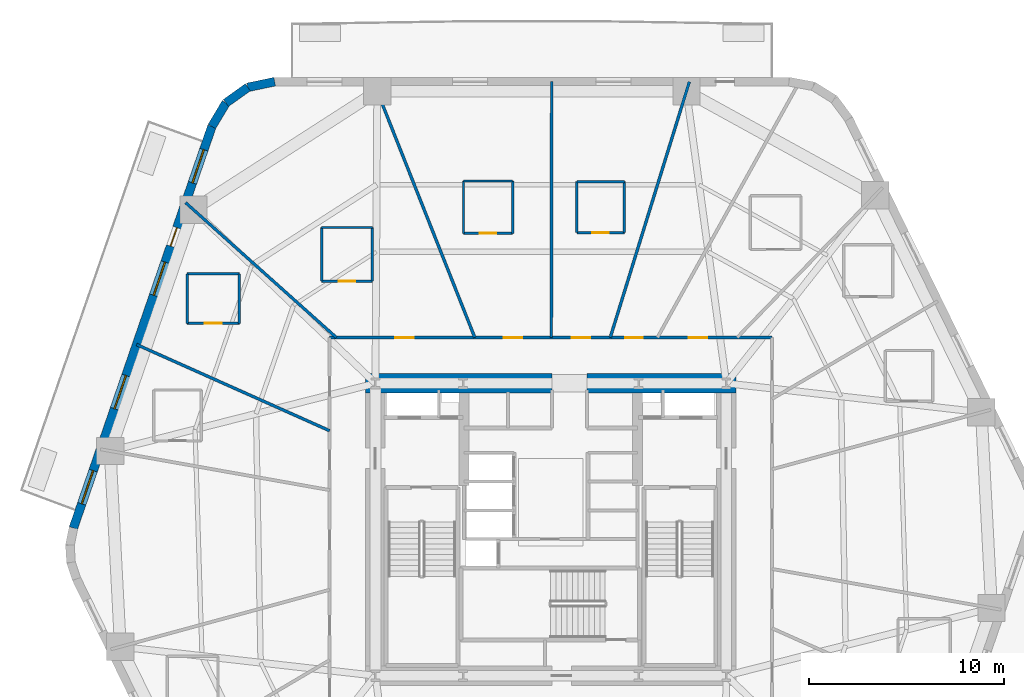
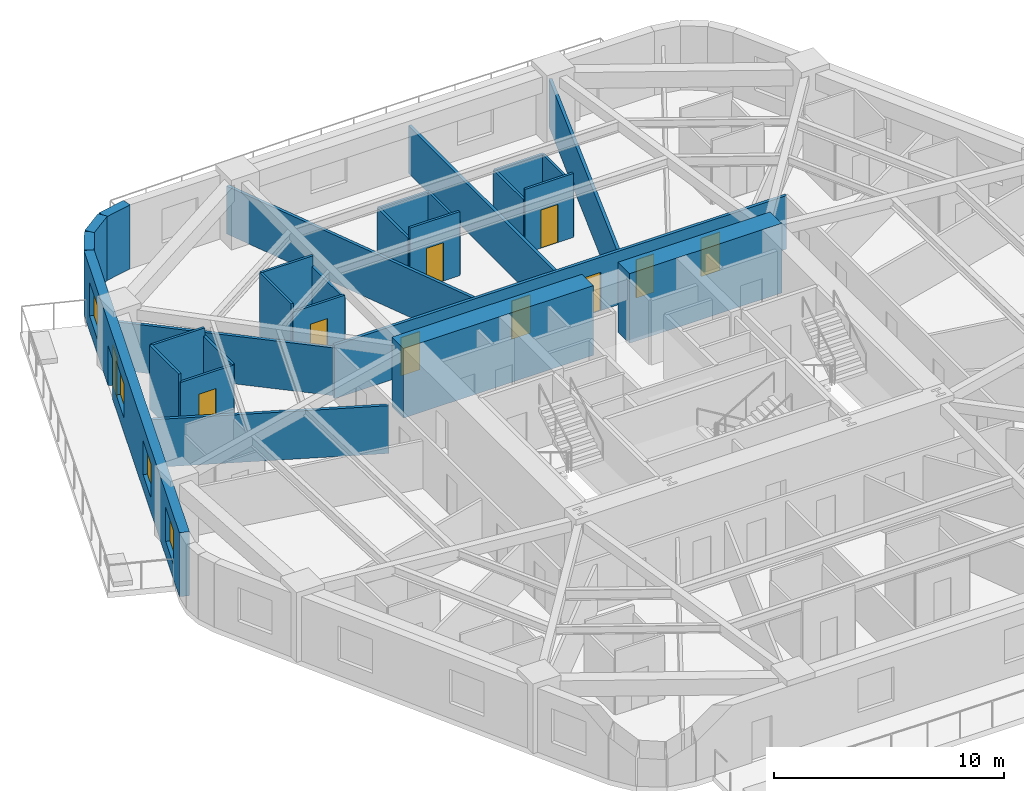
# One storey, part 6 of 11: 28 walls, 10 doors, 4 windows, 14 openings.
"""IFC4 building model written with IfcOpenShell, lengths in metres."""

from ifc_helpers import new_model, si_unit, direction, frame, frame_2d, origin, place, context, subcontext, project, spatial, rectangle, extrude, material, layer, layer_set, type_object, element, fill, save


model = new_model("IFC4")

# Units and contexts
model_context = context("Model", 3, precision=1e-05, world=origin(), true_north=direction((0.0, 1.0)))
body_context = subcontext(model_context, "Body", "Model", "MODEL_VIEW")
ifc_project = project(units=[si_unit("LENGTHUNIT", "METRE"), si_unit("AREAUNIT", "SQUARE_METRE"), si_unit("VOLUMEUNIT", "CUBIC_METRE"), si_unit("PLANEANGLEUNIT", "RADIAN"), si_unit("MASSUNIT", "GRAM", prefix="KILO")], contexts=[model_context])

# Site, building, storey
site_placement = place(None, origin())
site = spatial("IfcSite", under=ifc_project, at=site_placement, CompositionType="ELEMENT")
building_placement = place(site_placement, origin())
building = spatial("IfcBuilding", under=site, at=building_placement, Name="Kilnhurst Terrace Hotel", CompositionType="ELEMENT")
storey_placement = place(building_placement, frame((0.0, 0.0, 37.89990234375)))
storey = spatial("IfcBuildingStorey", under=building, at=storey_placement, Name="L07", CompositionType="ELEMENT", Elevation=37.89990234375)

# Walls
ifc_material_1 = material(Name="Precast concrete C40/50", Category="concrete")
ifc_layer_1 = layer(ifc_material_1, 0.449951171875, Name="Precast concrete C40/50")
ifc_layer_set_1 = layer_set([ifc_layer_1], Name="Precast concrete C40/50")
wall_type_1 = type_object("IfcWallType", Name="WL-BRK-450", PredefinedType="SOLIDWALL", material=ifc_layer_set_1)
wall_1_placement = place(storey_placement, frame((-14.168212890625, 22.97509765625, 0.0), z_axis=(0.0, 0.0, 1.0), x_axis=(-0.978770371074, -0.204959900243, 0.0)))
element("IfcWall", 1, at=wall_1_placement, inside=storey, type_object=wall_type_1, Name="L07 Rounded Corner Brick Wall C5.1", PredefinedType="SOLIDWALL", context=body_context, shape_type="SweptSolid", body=[
    extrude(rectangle(XDim=1.405517578125, YDim=0.449951171875, at=frame_2d((0.70263671875, 0.0))), origin(), (0.0, 0.0, 1.0), 3.400146484375),
])
wall_2_placement = place(storey_placement, frame((-15.5439453125, 22.68701171875, 0.0), z_axis=(0.0, 0.0, 1.0), x_axis=(-0.814210854316, -0.580569276412, 0.0)))
element("IfcWall", 2, at=wall_2_placement, inside=storey, type_object=wall_type_1, Name="L07 Rounded Corner Brick Wall C5.2", PredefinedType="SOLIDWALL", context=body_context, shape_type="SweptSolid", body=[
    extrude(rectangle(XDim=1.38134765625, YDim=0.449951171875, at=frame_2d((0.690673828125, 0.0))), origin(), (0.0, 0.0, 1.0), 3.400146484375),
])
wall_3_placement = place(storey_placement, frame((-16.668701171875, 21.885009765625, 0.0), z_axis=(0.0, 0.0, 1.0), x_axis=(-0.512936712947, -0.858426425799, 0.0)))
element("IfcWall", 3, at=wall_3_placement, inside=storey, type_object=wall_type_1, Name="L07 Rounded Corner Brick Wall C5.3", PredefinedType="SOLIDWALL", context=body_context, shape_type="SweptSolid", body=[
    extrude(rectangle(XDim=1.405517578125, YDim=0.449951171875, at=frame_2d((0.70263671875, 0.0))), origin(), (0.0, 0.0, 1.0), 3.400146484375),
])

# Wall, openings, door, windows
wall_4_placement = place(storey_placement, frame((-17.3896484375, 20.678466796875, 0.0), z_axis=(0.0, 0.0, 1.0), x_axis=(-0.326068018294, -0.945346310854, 0.0)))
wall_4 = element("IfcWall", 4, at=wall_4_placement, inside=storey, type_object=wall_type_1, Name="L07 Exterior Brick Facade Wall F5", PredefinedType="SOLIDWALL", context=body_context, shape_type="SweptSolid", body=[
    extrude(rectangle(XDim=21.79296875, YDim=0.449951171875, at=frame_2d((10.896484375, 0.0))), origin(), (0.0, 0.0, 1.0), 3.400146484375),
])
opening_1_placement = place(wall_4_placement, frame((5.492919921875, 0.0, 0.0)))
opening_1 = element("IfcOpeningElement", 5, at=opening_1_placement, cuts=wall_4, Name="Opening BD-1000", PredefinedType="OPENING", context=body_context, shape_type="SweptSolid", body=[
    extrude(rectangle(XDim=1.0, YDim=2.14990234375, at=frame_2d((0.5, 1.074951171875))), frame((0.0, 0.23486328125, 0.0), z_axis=(0.0, -1.0, 0.0), x_axis=(1.0, 0.0, 0.0)), (0.0, 0.0, 1.0), 0.469970703125),
])
opening_2_placement = place(wall_4_placement, frame((1.260009765625, 0.0, 0.800048828125)))
opening_2 = element("IfcOpeningElement", 6, at=opening_2_placement, cuts=wall_4, Name="Opening W-01", PredefinedType="OPENING", context=body_context, shape_type="SweptSolid", body=[
    extrude(rectangle(XDim=1.800048828125, YDim=1.800048828125, at=frame_2d((0.89990234375, 0.89990234375))), frame((0.0, 0.23486328125, 0.0), z_axis=(0.0, -1.0, 0.0), x_axis=(1.0, 0.0, 0.0)), (0.0, 0.0, 1.0), 0.469970703125),
])
opening_3_placement = place(wall_4_placement, frame((7.363037109375, 0.0, 0.800048828125)))
opening_3 = element("IfcOpeningElement", 7, at=opening_3_placement, cuts=wall_4, Name="Opening W-01", PredefinedType="OPENING", context=body_context, shape_type="SweptSolid", body=[
    extrude(rectangle(XDim=1.800048828125, YDim=1.800048828125, at=frame_2d((0.89990234375, 0.89990234375))), frame((0.0, 0.23486328125, 0.0), z_axis=(0.0, -1.0, 0.0), x_axis=(1.0, 0.0, 0.0)), (0.0, 0.0, 1.0), 0.469970703125),
])
opening_4_placement = place(wall_4_placement, frame((13.51806640625, 0.0, 0.800048828125)))
opening_4 = element("IfcOpeningElement", 8, at=opening_4_placement, cuts=wall_4, Name="Opening W-01", PredefinedType="OPENING", context=body_context, shape_type="SweptSolid", body=[
    extrude(rectangle(XDim=1.800048828125, YDim=1.800048828125, at=frame_2d((0.89990234375, 0.89990234375))), frame((0.0, 0.23486328125, 0.0), z_axis=(0.0, -1.0, 0.0), x_axis=(1.0, 0.0, 0.0)), (0.0, 0.0, 1.0), 0.469970703125),
])
opening_5_placement = place(wall_4_placement, frame((18.679931640625, 0.0, 0.800048828125)))
opening_5 = element("IfcOpeningElement", 9, at=opening_5_placement, cuts=wall_4, Name="Opening W-01", PredefinedType="OPENING", context=body_context, shape_type="SweptSolid", body=[
    extrude(rectangle(XDim=1.800048828125, YDim=1.800048828125, at=frame_2d((0.89990234375, 0.89990234375))), frame((0.0, 0.23486328125, 0.0), z_axis=(0.0, -1.0, 0.0), x_axis=(1.0, 0.0, 0.0)), (0.0, 0.0, 1.0), 0.469970703125),
])
ifc_material_2 = material(Name="Thermally Broken Bronze Aluminium Alloy 6063-T6 and Laminated Glass", Category="aluminium")
door_type_1 = type_object("IfcDoorType", Name="DR-EXT-BAL-1000", OperationType="NOTDEFINED", PredefinedType="DOOR", material=ifc_material_2)
door_1_placement = place(opening_1_placement, origin())
door_1 = element("IfcDoor", 10, at=door_1_placement, inside=storey, type_object=door_type_1, Name="L07 Planted Balcony Door BAL-L2B", OperationType="SINGLE_SWING_LEFT", OverallHeight=2.14990234375, OverallWidth=1.0, PredefinedType="DOOR", context=body_context, shape_type="SweptSolid", body=[
    extrude(rectangle(XDim=1.0, YDim=2.14990234375, at=frame_2d((0.5, 1.074951171875))), frame((0.0, 0.02490234375, 0.0), z_axis=(0.0, -1.0, 0.0), x_axis=(1.0, 0.0, 0.0)), (0.0, 0.0, 1.0), 0.050048828125),
])
fill(opening_1, door_1)
ifc_material_3 = material(Name="Thermally Broken Bronze Aluminium Alloy 6063-T6 and Low-E Glass", Category="aluminium")
window_type = type_object("IfcWindowType", Name="WIN-1800X1800", PartitioningType="SINGLE_PANEL", PredefinedType="WINDOW", material=ifc_material_3)
window_1_placement = place(opening_2_placement, origin())
window_1 = element("IfcWindow", 11, at=window_1_placement, inside=storey, type_object=window_type, Name="L07 Deep-Set Masonry Window F5.1", OverallHeight=1.800048828125, OverallWidth=1.800048828125, PartitioningType="SINGLE_PANEL", PredefinedType="WINDOW", context=body_context, shape_type="SweptSolid", body=[
    extrude(rectangle(XDim=1.800048828125, YDim=1.800048828125, at=frame_2d((0.89990234375, 0.89990234375))), frame((0.0, 0.030029296875, 0.0), z_axis=(0.0, -1.0, 0.0), x_axis=(1.0, 0.0, 0.0)), (0.0, 0.0, 1.0), 0.06005859375),
])
fill(opening_2, window_1)
window_2_placement = place(opening_3_placement, origin())
window_2 = element("IfcWindow", 12, at=window_2_placement, inside=storey, type_object=window_type, Name="L07 Deep-Set Masonry Window F5.2", OverallHeight=1.800048828125, OverallWidth=1.800048828125, PartitioningType="SINGLE_PANEL", PredefinedType="WINDOW", context=body_context, shape_type="SweptSolid", body=[
    extrude(rectangle(XDim=1.800048828125, YDim=1.800048828125, at=frame_2d((0.89990234375, 0.89990234375))), frame((0.0, 0.030029296875, 0.0), z_axis=(0.0, -1.0, 0.0), x_axis=(1.0, 0.0, 0.0)), (0.0, 0.0, 1.0), 0.06005859375),
])
fill(opening_3, window_2)
window_3_placement = place(opening_4_placement, origin())
window_3 = element("IfcWindow", 13, at=window_3_placement, inside=storey, type_object=window_type, Name="L07 Deep-Set Masonry Window F5.3", OverallHeight=1.800048828125, OverallWidth=1.800048828125, PartitioningType="SINGLE_PANEL", PredefinedType="WINDOW", context=body_context, shape_type="SweptSolid", body=[
    extrude(rectangle(XDim=1.800048828125, YDim=1.800048828125, at=frame_2d((0.89990234375, 0.89990234375))), frame((0.0, 0.030029296875, 0.0), z_axis=(0.0, -1.0, 0.0), x_axis=(1.0, 0.0, 0.0)), (0.0, 0.0, 1.0), 0.06005859375),
])
fill(opening_4, window_3)
window_4_placement = place(opening_5_placement, origin())
window_4 = element("IfcWindow", 14, at=window_4_placement, inside=storey, type_object=window_type, Name="L07 Deep-Set Masonry Window F5.4", OverallHeight=1.800048828125, OverallWidth=1.800048828125, PartitioningType="SINGLE_PANEL", PredefinedType="WINDOW", context=body_context, shape_type="SweptSolid", body=[
    extrude(rectangle(XDim=1.800048828125, YDim=1.800048828125, at=frame_2d((0.89990234375, 0.89990234375))), frame((0.0, 0.030029296875, 0.0), z_axis=(0.0, -1.0, 0.0), x_axis=(1.0, 0.0, 0.0)), (0.0, 0.0, 1.0), 0.06005859375),
])
fill(opening_5, window_4)

# Wall, openings, doors
ifc_material_4 = material(Name="Acoustic Double-Gypsum Corridor Partition Assembly")
ifc_layer_2 = layer(ifc_material_4, 0.14990234375, Name="Acoustic Double-Gypsum Corridor Partition Assembly")
ifc_layer_set_2 = layer_set([ifc_layer_2], Name="Acoustic Double-Gypsum Corridor Partition Assembly")
wall_type_2 = type_object("IfcWallType", Name="WL-COR-150", PredefinedType="PARTITIONING", material=ifc_layer_set_2)
wall_5_placement = place(storey_placement, frame((-11.35009765625, 9.85009765625, 0.0), z_axis=(0.0, 0.0, 1.0), x_axis=(1.0, 0.0, 0.0)))
wall_5 = element("IfcWall", 15, at=wall_5_placement, inside=storey, type_object=wall_type_2, Name="L07 Interior Wall WL-L07-COR-02", PredefinedType="PARTITIONING", context=body_context, shape_type="SweptSolid", body=[
    extrude(rectangle(XDim=22.7001953125, YDim=0.14990234375, at=frame_2d((11.35009765625, 0.0))), origin(), (0.0, 0.0, 1.0), 2.840087890625),
])
opening_6_placement = place(wall_5_placement, frame((18.43603515625, 0.0, 0.0)))
opening_6 = element("IfcOpeningElement", 16, at=opening_6_placement, cuts=wall_5, Name="Opening D-60B", PredefinedType="OPENING", context=body_context, shape_type="SweptSolid", body=[
    extrude(rectangle(XDim=0.949951171875, YDim=2.030029296875, at=frame_2d((0.47509765625, 1.01513671875))), frame((0.0, 0.0849609375, 0.0), z_axis=(0.0, -1.0, 0.0), x_axis=(1.0, 0.0, 0.0)), (0.0, 0.0, 1.0), 0.169921875),
])
opening_7_placement = place(wall_5_placement, frame((15.176025390625, 0.0, 0.0)))
opening_7 = element("IfcOpeningElement", 17, at=opening_7_placement, cuts=wall_5, Name="Opening D-60C", PredefinedType="OPENING", context=body_context, shape_type="SweptSolid", body=[
    extrude(rectangle(XDim=0.89990234375, YDim=2.030029296875, at=frame_2d((0.449951171875, 1.01513671875))), frame((0.0, 0.0849609375, 0.0), z_axis=(0.0, -1.0, 0.0), x_axis=(1.0, 0.0, 0.0)), (0.0, 0.0, 1.0), 0.169921875),
])
opening_8_placement = place(wall_5_placement, frame((12.4150390625, 0.0, 0.0)))
opening_8 = element("IfcOpeningElement", 18, at=opening_8_placement, cuts=wall_5, Name="Opening D-60B", PredefinedType="OPENING", context=body_context, shape_type="SweptSolid", body=[
    extrude(rectangle(XDim=0.949951171875, YDim=2.030029296875, at=frame_2d((0.47509765625, 1.01513671875))), frame((0.0, 0.0849609375, 0.0), z_axis=(0.0, -1.0, 0.0), x_axis=(1.0, 0.0, 0.0)), (0.0, 0.0, 1.0), 0.169921875),
])
opening_9_placement = place(wall_5_placement, frame((8.925048828125, 0.0, 0.0)))
opening_9 = element("IfcOpeningElement", 19, at=opening_9_placement, cuts=wall_5, Name="Opening D-60B", PredefinedType="OPENING", context=body_context, shape_type="SweptSolid", body=[
    extrude(rectangle(XDim=0.949951171875, YDim=2.030029296875, at=frame_2d((0.47509765625, 1.01513671875))), frame((0.0, 0.0849609375, 0.0), z_axis=(0.0, -1.0, 0.0), x_axis=(1.0, 0.0, 0.0)), (0.0, 0.0, 1.0), 0.169921875),
])
opening_10_placement = place(wall_5_placement, frame((3.368896484375, 0.0, 0.0)))
opening_10 = element("IfcOpeningElement", 20, at=opening_10_placement, cuts=wall_5, Name="Opening D-60B", PredefinedType="OPENING", context=body_context, shape_type="SweptSolid", body=[
    extrude(rectangle(XDim=0.949951171875, YDim=2.030029296875, at=frame_2d((0.47509765625, 1.01513671875))), frame((0.0, 0.0849609375, 0.0), z_axis=(0.0, -1.0, 0.0), x_axis=(1.0, 0.0, 0.0)), (0.0, 0.0, 1.0), 0.169921875),
])
ifc_material_5 = material(Name="Painted Solid-Core Service Fire Door")
door_type_2 = type_object("IfcDoorType", Name="DR-FD60-900", OperationType="NOTDEFINED", PredefinedType="DOOR", material=ifc_material_5)
door_2_placement = place(opening_7_placement, origin())
door_2 = element("IfcDoor", 21, at=door_2_placement, inside=storey, type_object=door_type_2, Name="L07 Executive Work Office Door 4", OperationType="SINGLE_SWING_RIGHT", OverallHeight=2.030029296875, OverallWidth=0.89990234375, PredefinedType="DOOR", context=body_context, shape_type="SweptSolid", body=[
    extrude(rectangle(XDim=0.89990234375, YDim=2.030029296875, at=frame_2d((0.449951171875, 1.01513671875))), frame((0.0, 0.02490234375, 0.0), z_axis=(0.0, -1.0, 0.0), x_axis=(1.0, 0.0, 0.0)), (0.0, 0.0, 1.0), 0.050048828125),
])
fill(opening_7, door_2)
ifc_material_6 = material(Name="Acoustic Walnut Veneer Solid-Core Fire Door")
door_type_3 = type_object("IfcDoorType", Name="DR-FD60-950", OperationType="NOTDEFINED", PredefinedType="DOOR", material=ifc_material_6)
door_3_placement = place(opening_6_placement, origin())
door_3 = element("IfcDoor", 22, at=door_3_placement, inside=storey, type_object=door_type_3, Name="L07 Guest Room Entry Door 3", OperationType="SINGLE_SWING_LEFT", OverallHeight=2.030029296875, OverallWidth=0.949951171875, PredefinedType="DOOR", context=body_context, shape_type="SweptSolid", body=[
    extrude(rectangle(XDim=0.949951171875, YDim=2.030029296875, at=frame_2d((0.47509765625, 1.01513671875))), frame((0.0, 0.02490234375, 0.0), z_axis=(0.0, -1.0, 0.0), x_axis=(1.0, 0.0, 0.0)), (0.0, 0.0, 1.0), 0.050048828125),
])
fill(opening_6, door_3)
door_4_placement = place(opening_8_placement, origin())
door_4 = element("IfcDoor", 23, at=door_4_placement, inside=storey, type_object=door_type_3, Name="L07 Guest Room Entry Door 5", OperationType="SINGLE_SWING_LEFT", OverallHeight=2.030029296875, OverallWidth=0.949951171875, PredefinedType="DOOR", context=body_context, shape_type="SweptSolid", body=[
    extrude(rectangle(XDim=0.949951171875, YDim=2.030029296875, at=frame_2d((0.47509765625, 1.01513671875))), frame((0.0, 0.02490234375, 0.0), z_axis=(0.0, -1.0, 0.0), x_axis=(1.0, 0.0, 0.0)), (0.0, 0.0, 1.0), 0.050048828125),
])
fill(opening_8, door_4)
door_5_placement = place(opening_9_placement, origin())
door_5 = element("IfcDoor", 24, at=door_5_placement, inside=storey, type_object=door_type_3, Name="L07 Executive Suite Entry Door 6", OperationType="SINGLE_SWING_RIGHT", OverallHeight=2.030029296875, OverallWidth=0.949951171875, PredefinedType="DOOR", context=body_context, shape_type="SweptSolid", body=[
    extrude(rectangle(XDim=0.949951171875, YDim=2.030029296875, at=frame_2d((0.47509765625, 1.01513671875))), frame((0.0, 0.02490234375, 0.0), z_axis=(0.0, -1.0, 0.0), x_axis=(1.0, 0.0, 0.0)), (0.0, 0.0, 1.0), 0.050048828125),
])
fill(opening_9, door_5)
door_6_placement = place(opening_10_placement, origin())
door_6 = element("IfcDoor", 25, at=door_6_placement, inside=storey, type_object=door_type_3, Name="L07 Executive Suite Entry Door 7", OperationType="SINGLE_SWING_LEFT", OverallHeight=2.030029296875, OverallWidth=0.949951171875, PredefinedType="DOOR", context=body_context, shape_type="SweptSolid", body=[
    extrude(rectangle(XDim=0.949951171875, YDim=2.030029296875, at=frame_2d((0.47509765625, 1.01513671875))), frame((0.0, 0.02490234375, 0.0), z_axis=(0.0, -1.0, 0.0), x_axis=(1.0, 0.0, 0.0)), (0.0, 0.0, 1.0), 0.050048828125),
])
fill(opening_10, door_6)

# Walls
ifc_material_7 = material(Name="Concrete C80/95", Category="concrete")
ifc_layer_3 = layer(ifc_material_7, 1.0, Name="Concrete C80/95")
ifc_layer_set_3 = layer_set([ifc_layer_3], Name="Concrete C80/95")
wall_type_3 = type_object("IfcWallType", Name="WL-CORE-1000", PredefinedType="SHEAR", material=ifc_layer_set_3)
wall_6_placement = place(storey_placement, frame((-9.5, 7.5, 0.0), z_axis=(0.0, 0.0, 1.0), x_axis=(1.0, 0.0, 0.0)))
element("IfcWall", 26, at=wall_6_placement, inside=storey, type_object=wall_type_3, Name="L07 Core North West Shear Wall", PredefinedType="SHEAR", context=body_context, shape_type="SweptSolid", body=[
    extrude(rectangle(XDim=9.550048828125, YDim=1.0, at=frame_2d((4.77490234375, 0.0))), origin(), (0.0, 0.0, 1.0), 3.7001953125),
])
wall_7_placement = place(storey_placement, frame((1.85009765625, 7.5, 0.0), z_axis=(0.0, 0.0, 1.0), x_axis=(1.0, 0.0, 0.0)))
element("IfcWall", 27, at=wall_7_placement, inside=storey, type_object=wall_type_3, Name="L07 Core North East Shear Wall", PredefinedType="SHEAR", context=body_context, shape_type="SweptSolid", body=[
    extrude(rectangle(XDim=7.64990234375, YDim=1.0, at=frame_2d((3.824951171875, 0.0))), origin(), (0.0, 0.0, 1.0), 3.7001953125),
])
ifc_material_8 = material(Name="STC-58 Acoustic Twin-Frame Guestroom Demising Partition")
ifc_layer_4 = layer(ifc_material_8, 0.14990234375, Name="STC-58 Acoustic Twin-Frame Guestroom Demising Partition")
ifc_layer_set_4 = layer_set([ifc_layer_4], Name="STC-58 Acoustic Twin-Frame Guestroom Demising Partition")
wall_type_4 = type_object("IfcWallType", Name="WL-DEM-150", PredefinedType="PARTITIONING", material=ifc_layer_set_4)
wall_8_placement = place(storey_placement, frame((3.047607421875, 9.85009765625, 0.0), z_axis=(0.0, 0.0, 1.0), x_axis=(0.295553992761, 0.955326037206, 0.0)))
element("IfcWall", 28, at=wall_8_placement, inside=storey, type_object=wall_type_4, Name="L07 Interior Wall WL-L07-DEM-COL03-05-1", PredefinedType="PARTITIONING", context=body_context, shape_type="SweptSolid", body=[
    extrude(rectangle(XDim=13.73876953125, YDim=0.14990234375, at=frame_2d((6.869384765625, 0.0))), origin(), (0.0, 0.0, 1.0), 2.5400390625),
])
wall_9_placement = place(storey_placement, frame((0.0205078125, 9.85009765625, 0.0), z_axis=(0.0, 0.0, 1.0), x_axis=(0.002064727742, 0.999997868447, 0.0)))
element("IfcWall", 29, at=wall_9_placement, inside=storey, type_object=wall_type_4, Name="L07 Interior Wall WL-L07-DEM-MID03-06-1", PredefinedType="PARTITIONING", context=body_context, shape_type="SweptSolid", body=[
    extrude(rectangle(XDim=13.125, YDim=0.14990234375, at=frame_2d((6.5625, 0.0))), origin(), (0.0, 0.0, 1.0), 2.5400390625),
])
wall_10_placement = place(storey_placement, frame((-3.90185546875, 9.85009765625, 0.0), z_axis=(0.0, 0.0, 1.0), x_axis=(-0.36828765711, 0.929711891728, 0.0)))
element("IfcWall", 30, at=wall_10_placement, inside=storey, type_object=wall_type_4, Name="L07 Interior Wall WL-L07-DEM-COL04-07-1", PredefinedType="PARTITIONING", context=body_context, shape_type="SweptSolid", body=[
    extrude(rectangle(XDim=14.1171875, YDim=0.14990234375, at=frame_2d((7.05859375, 0.0))), origin(), (0.0, 0.0, 1.0), 2.5400390625),
])
wall_11_placement = place(storey_placement, frame((-11.006591796875, 9.85009765625, 0.0), z_axis=(0.0, 0.0, 1.0), x_axis=(-0.745177305978, 0.666866390407, 0.0)))
element("IfcWall", 31, at=wall_11_placement, inside=storey, type_object=wall_type_4, Name="L07 Interior Wall WL-L07-DEM-COL05-08-1", PredefinedType="PARTITIONING", context=body_context, shape_type="SweptSolid", body=[
    extrude(rectangle(XDim=10.375244140625, YDim=0.14990234375, at=frame_2d((5.1875, 0.0))), origin(), (0.0, 0.0, 1.0), 2.5400390625),
])
wall_12_placement = place(storey_placement, frame((-11.35009765625, 5.068115234375, 0.0), z_axis=(0.0, 0.0, 1.0), x_axis=(-0.913107192911, 0.407719577963, 0.0)))
element("IfcWall", 32, at=wall_12_placement, inside=storey, type_object=wall_type_4, Name="L07 Interior Wall WL-L07-DEM-MID05-09-1", PredefinedType="PARTITIONING", context=body_context, shape_type="SweptSolid", body=[
    extrude(rectangle(XDim=10.84130859375, YDim=0.14990234375, at=frame_2d((5.420654296875, 0.0))), origin(), (0.0, 0.0, 1.0), 2.5400390625),
])

# Wall, opening, door
ifc_material_9 = material(Name="120 mm Moisture-Resistant Tile-Backed Bathroom Partition")
ifc_layer_5 = layer(ifc_material_9, 0.1201171875, Name="120 mm Moisture-Resistant Tile-Backed Bathroom Partition")
ifc_layer_set_5 = layer_set([ifc_layer_5], Name="120 mm Moisture-Resistant Tile-Backed Bathroom Partition")
wall_type_5 = type_object("IfcWallType", Name="WL-PART-120", PredefinedType="PARTITIONING", material=ifc_layer_set_5)
wall_13_placement = place(storey_placement, frame((1.3310546875, 15.23193359375, 0.0), z_axis=(0.0, 0.0, 1.0), x_axis=(1.0, 0.0, 0.0)))
wall_13 = element("IfcWall", 33, at=wall_13_placement, inside=storey, type_object=wall_type_5, Name="L07 Interior Wall WL-L07-BTH-05-1", PredefinedType="PARTITIONING", context=body_context, shape_type="SweptSolid", body=[
    extrude(rectangle(XDim=2.43994140625, YDim=0.1201171875, at=frame_2d((1.219970703125, 0.0))), origin(), (0.0, 0.0, 1.0), 3.400146484375),
])
opening_11_placement = place(wall_13_placement, frame((0.794921875, 0.0, 0.0)))
opening_11 = element("IfcOpeningElement", 34, at=opening_11_placement, cuts=wall_13, Name="Opening D-08A", PredefinedType="OPENING", context=body_context, shape_type="SweptSolid", body=[
    extrude(rectangle(XDim=0.85009765625, YDim=2.030029296875, at=frame_2d((0.425048828125, 1.01513671875))), frame((0.0, 0.070068359375, 0.0), z_axis=(0.0, -1.0, 0.0), x_axis=(1.0, 0.0, 0.0)), (0.0, 0.0, 1.0), 0.14013671875),
])
ifc_material_10 = material(Name="Moisture-Resistant Lacquered En-suite Bathroom Door")
door_type_4 = type_object("IfcDoorType", Name="DR-INT-850", OperationType="NOTDEFINED", PredefinedType="DOOR", material=ifc_material_10)
door_7_placement = place(opening_11_placement, origin())
door_7 = element("IfcDoor", 35, at=door_7_placement, inside=storey, type_object=door_type_4, Name="L07 En-suite Bathroom Door 5", OperationType="SINGLE_SWING_RIGHT", OverallHeight=2.030029296875, OverallWidth=0.85009765625, PredefinedType="DOOR", context=body_context, shape_type="SweptSolid", body=[
    extrude(rectangle(XDim=0.85009765625, YDim=2.030029296875, at=frame_2d((0.425048828125, 1.01513671875))), frame((0.0, 0.02490234375, 0.0), z_axis=(0.0, -1.0, 0.0), x_axis=(1.0, 0.0, 0.0)), (0.0, 0.0, 1.0), 0.050048828125),
])
fill(opening_11, door_7)

# Walls
wall_14_placement = place(storey_placement, frame((3.77099609375, 15.23193359375, 0.0), z_axis=(0.0, 0.0, 1.0), x_axis=(0.0, 1.0, 0.0)))
element("IfcWall", 36, at=wall_14_placement, inside=storey, type_object=wall_type_5, Name="L07 Interior Wall WL-L07-BTH-05-2", PredefinedType="PARTITIONING", context=body_context, shape_type="SweptSolid", body=[
    extrude(rectangle(XDim=2.610107421875, YDim=0.1201171875, at=frame_2d((1.30517578125, 0.0))), origin(), (0.0, 0.0, 1.0), 2.840576171875),
])
wall_15_placement = place(storey_placement, frame((3.77099609375, 17.842041015625, 0.0), z_axis=(0.0, 0.0, 1.0), x_axis=(-1.0, 0.0, 0.0)))
element("IfcWall", 37, at=wall_15_placement, inside=storey, type_object=wall_type_5, Name="L07 Interior Wall WL-L07-BTH-05-3", PredefinedType="PARTITIONING", context=body_context, shape_type="SweptSolid", body=[
    extrude(rectangle(XDim=2.43994140625, YDim=0.1201171875, at=frame_2d((1.219970703125, 0.0))), origin(), (0.0, 0.0, 1.0), 2.840576171875),
])
wall_16_placement = place(storey_placement, frame((1.3310546875, 17.842041015625, 0.0), z_axis=(0.0, 0.0, 1.0), x_axis=(0.0, -1.0, 0.0)))
element("IfcWall", 38, at=wall_16_placement, inside=storey, type_object=wall_type_5, Name="L07 Interior Wall WL-L07-BTH-05-4", PredefinedType="PARTITIONING", context=body_context, shape_type="SweptSolid", body=[
    extrude(rectangle(XDim=2.610107421875, YDim=0.1201171875, at=frame_2d((1.30517578125, 0.0))), origin(), (0.0, 0.0, 1.0), 2.840576171875),
])

# Wall, opening, door
wall_17_placement = place(storey_placement, frame((-4.47900390625, 15.197021484375, 0.0), z_axis=(0.0, 0.0, 1.0), x_axis=(1.0, 0.0, 0.0)))
wall_17 = element("IfcWall", 39, at=wall_17_placement, inside=storey, type_object=wall_type_5, Name="L07 Interior Wall WL-L07-BTH-06-1", PredefinedType="PARTITIONING", context=body_context, shape_type="SweptSolid", body=[
    extrude(rectangle(XDim=2.52001953125, YDim=0.1201171875, at=frame_2d((1.260009765625, 0.0))), origin(), (0.0, 0.0, 1.0), 3.400146484375),
])
opening_12_placement = place(wall_17_placement, frame((0.8349609375, 0.0, 0.0)))
opening_12 = element("IfcOpeningElement", 40, at=opening_12_placement, cuts=wall_17, Name="Opening D-08A", PredefinedType="OPENING", context=body_context, shape_type="SweptSolid", body=[
    extrude(rectangle(XDim=0.85009765625, YDim=2.030029296875, at=frame_2d((0.425048828125, 1.01513671875))), frame((0.0, 0.070068359375, 0.0), z_axis=(0.0, -1.0, 0.0), x_axis=(1.0, 0.0, 0.0)), (0.0, 0.0, 1.0), 0.14013671875),
])
door_8_placement = place(opening_12_placement, origin())
door_8 = element("IfcDoor", 41, at=door_8_placement, inside=storey, type_object=door_type_4, Name="L07 En-suite Bathroom Door 6", OperationType="SINGLE_SWING_LEFT", OverallHeight=2.030029296875, OverallWidth=0.85009765625, PredefinedType="DOOR", context=body_context, shape_type="SweptSolid", body=[
    extrude(rectangle(XDim=0.85009765625, YDim=2.030029296875, at=frame_2d((0.425048828125, 1.01513671875))), frame((0.0, 0.02490234375, 0.0), z_axis=(0.0, -1.0, 0.0), x_axis=(1.0, 0.0, 0.0)), (0.0, 0.0, 1.0), 0.050048828125),
])
fill(opening_12, door_8)

# Walls
wall_18_placement = place(storey_placement, frame((-1.958984375, 15.197021484375, 0.0), z_axis=(0.0, 0.0, 1.0), x_axis=(0.0, 1.0, 0.0)))
element("IfcWall", 42, at=wall_18_placement, inside=storey, type_object=wall_type_5, Name="L07 Interior Wall WL-L07-BTH-06-2", PredefinedType="PARTITIONING", context=body_context, shape_type="SweptSolid", body=[
    extrude(rectangle(XDim=2.679931640625, YDim=0.1201171875, at=frame_2d((1.33984375, 0.0))), origin(), (0.0, 0.0, 1.0), 2.840576171875),
])
wall_19_placement = place(storey_placement, frame((-1.958984375, 17.876953125, 0.0), z_axis=(0.0, 0.0, 1.0), x_axis=(-1.0, 0.0, 0.0)))
element("IfcWall", 43, at=wall_19_placement, inside=storey, type_object=wall_type_5, Name="L07 Interior Wall WL-L07-BTH-06-3", PredefinedType="PARTITIONING", context=body_context, shape_type="SweptSolid", body=[
    extrude(rectangle(XDim=2.52001953125, YDim=0.1201171875, at=frame_2d((1.260009765625, 0.0))), origin(), (0.0, 0.0, 1.0), 2.840576171875),
])
wall_20_placement = place(storey_placement, frame((-4.47900390625, 17.876953125, 0.0), z_axis=(0.0, 0.0, 1.0), x_axis=(0.0, -1.0, 0.0)))
element("IfcWall", 44, at=wall_20_placement, inside=storey, type_object=wall_type_5, Name="L07 Interior Wall WL-L07-BTH-06-4", PredefinedType="PARTITIONING", context=body_context, shape_type="SweptSolid", body=[
    extrude(rectangle(XDim=2.679931640625, YDim=0.1201171875, at=frame_2d((1.33984375, 0.0))), origin(), (0.0, 0.0, 1.0), 2.840576171875),
])

# Wall, opening, door
wall_21_placement = place(storey_placement, frame((-11.761962890625, 12.742919921875, 0.0), z_axis=(0.0, 0.0, 1.0), x_axis=(1.0, 0.0, 0.0)))
wall_21 = element("IfcWall", 45, at=wall_21_placement, inside=storey, type_object=wall_type_5, Name="L07 Interior Wall WL-L07-BTH-07-1", PredefinedType="PARTITIONING", context=body_context, shape_type="SweptSolid", body=[
    extrude(rectangle(XDim=2.599853515625, YDim=0.1201171875, at=frame_2d((1.2998046875, 0.0))), origin(), (0.0, 0.0, 1.0), 2.972412109375),
])
opening_13_placement = place(wall_21_placement, frame((0.875, 0.0, 0.0)))
opening_13 = element("IfcOpeningElement", 46, at=opening_13_placement, cuts=wall_21, Name="Opening D-08A", PredefinedType="OPENING", context=body_context, shape_type="SweptSolid", body=[
    extrude(rectangle(XDim=0.85009765625, YDim=2.030029296875, at=frame_2d((0.425048828125, 1.01513671875))), frame((0.0, 0.070068359375, 0.0), z_axis=(0.0, -1.0, 0.0), x_axis=(1.0, 0.0, 0.0)), (0.0, 0.0, 1.0), 0.14013671875),
])
door_9_placement = place(opening_13_placement, origin())
door_9 = element("IfcDoor", 47, at=door_9_placement, inside=storey, type_object=door_type_4, Name="L07 En-suite Bathroom Door 7", OperationType="SINGLE_SWING_RIGHT", OverallHeight=2.030029296875, OverallWidth=0.85009765625, PredefinedType="DOOR", context=body_context, shape_type="SweptSolid", body=[
    extrude(rectangle(XDim=0.85009765625, YDim=2.030029296875, at=frame_2d((0.425048828125, 1.01513671875))), frame((0.0, 0.02490234375, 0.0), z_axis=(0.0, -1.0, 0.0), x_axis=(1.0, 0.0, 0.0)), (0.0, 0.0, 1.0), 0.050048828125),
])
fill(opening_13, door_9)

# Walls
wall_22_placement = place(storey_placement, frame((-9.162109375, 12.742919921875, 0.0), z_axis=(0.0, 0.0, 1.0), x_axis=(0.0, 1.0, 0.0)))
element("IfcWall", 48, at=wall_22_placement, inside=storey, type_object=wall_type_5, Name="L07 Interior Wall WL-L07-BTH-07-2", PredefinedType="PARTITIONING", context=body_context, shape_type="SweptSolid", body=[
    extrude(rectangle(XDim=2.75, YDim=0.1201171875, at=frame_2d((1.375, 0.0))), origin(), (0.0, 0.0, 1.0), 2.840087890625),
])
wall_23_placement = place(storey_placement, frame((-9.162109375, 15.492919921875, 0.0), z_axis=(0.0, 0.0, 1.0), x_axis=(-1.0, 0.0, 0.0)))
element("IfcWall", 49, at=wall_23_placement, inside=storey, type_object=wall_type_5, Name="L07 Interior Wall WL-L07-BTH-07-3", PredefinedType="PARTITIONING", context=body_context, shape_type="SweptSolid", body=[
    extrude(rectangle(XDim=2.599853515625, YDim=0.1201171875, at=frame_2d((1.2998046875, 0.0))), origin(), (0.0, 0.0, 1.0), 3.400146484375),
])
wall_24_placement = place(storey_placement, frame((-11.761962890625, 15.492919921875, 0.0), z_axis=(0.0, 0.0, 1.0), x_axis=(0.0, -1.0, 0.0)))
element("IfcWall", 50, at=wall_24_placement, inside=storey, type_object=wall_type_5, Name="L07 Interior Wall WL-L07-BTH-07-4", PredefinedType="PARTITIONING", context=body_context, shape_type="SweptSolid", body=[
    extrude(rectangle(XDim=2.75, YDim=0.1201171875, at=frame_2d((1.375, 0.0))), origin(), (0.0, 0.0, 1.0), 3.400146484375),
])

# Wall, opening, door
wall_25_placement = place(storey_placement, frame((-18.658935546875, 10.573974609375, 0.0), z_axis=(0.0, 0.0, 1.0), x_axis=(1.0, 0.0, 0.0)))
wall_25 = element("IfcWall", 51, at=wall_25_placement, inside=storey, type_object=wall_type_5, Name="L07 Interior Wall WL-L07-BTH-08-1", PredefinedType="PARTITIONING", context=body_context, shape_type="SweptSolid", body=[
    extrude(rectangle(XDim=2.679931640625, YDim=0.1201171875, at=frame_2d((1.33984375, 0.0))), origin(), (0.0, 0.0, 1.0), 2.972412109375),
])
opening_14_placement = place(wall_25_placement, frame((0.9150390625, 0.0, 0.0)))
opening_14 = element("IfcOpeningElement", 52, at=opening_14_placement, cuts=wall_25, Name="Opening D-08A", PredefinedType="OPENING", context=body_context, shape_type="SweptSolid", body=[
    extrude(rectangle(XDim=0.85009765625, YDim=2.030029296875, at=frame_2d((0.425048828125, 1.01513671875))), frame((0.0, 0.070068359375, 0.0), z_axis=(0.0, -1.0, 0.0), x_axis=(1.0, 0.0, 0.0)), (0.0, 0.0, 1.0), 0.14013671875),
])
door_10_placement = place(opening_14_placement, origin())
door_10 = element("IfcDoor", 53, at=door_10_placement, inside=storey, type_object=door_type_4, Name="L07 En-suite Bathroom Door 8", OperationType="SINGLE_SWING_LEFT", OverallHeight=2.030029296875, OverallWidth=0.85009765625, PredefinedType="DOOR", context=body_context, shape_type="SweptSolid", body=[
    extrude(rectangle(XDim=0.85009765625, YDim=2.030029296875, at=frame_2d((0.425048828125, 1.01513671875))), frame((0.0, 0.02490234375, 0.0), z_axis=(0.0, -1.0, 0.0), x_axis=(1.0, 0.0, 0.0)), (0.0, 0.0, 1.0), 0.050048828125),
])
fill(opening_14, door_10)

# Walls
wall_26_placement = place(storey_placement, frame((-15.97900390625, 10.573974609375, 0.0), z_axis=(0.0, 0.0, 1.0), x_axis=(0.0, 1.0, 0.0)))
element("IfcWall", 54, at=wall_26_placement, inside=storey, type_object=wall_type_5, Name="L07 Interior Wall WL-L07-BTH-08-2", PredefinedType="PARTITIONING", context=body_context, shape_type="SweptSolid", body=[
    extrude(rectangle(XDim=2.5400390625, YDim=0.1201171875, at=frame_2d((1.27001953125, 0.0))), origin(), (0.0, 0.0, 1.0), 2.972412109375),
])
wall_27_placement = place(storey_placement, frame((-15.97900390625, 13.114013671875, 0.0), z_axis=(0.0, 0.0, 1.0), x_axis=(-1.0, 0.0, 0.0)))
element("IfcWall", 55, at=wall_27_placement, inside=storey, type_object=wall_type_5, Name="L07 Interior Wall WL-L07-BTH-08-3", PredefinedType="PARTITIONING", context=body_context, shape_type="SweptSolid", body=[
    extrude(rectangle(XDim=2.679931640625, YDim=0.1201171875, at=frame_2d((1.33984375, 0.0))), origin(), (0.0, 0.0, 1.0), 3.400146484375),
])
wall_28_placement = place(storey_placement, frame((-18.658935546875, 13.114013671875, 0.0), z_axis=(0.0, 0.0, 1.0), x_axis=(0.0, -1.0, 0.0)))
element("IfcWall", 56, at=wall_28_placement, inside=storey, type_object=wall_type_5, Name="L07 Interior Wall WL-L07-BTH-08-4", PredefinedType="PARTITIONING", context=body_context, shape_type="SweptSolid", body=[
    extrude(rectangle(XDim=2.5400390625, YDim=0.1201171875, at=frame_2d((1.27001953125, 0.0))), origin(), (0.0, 0.0, 1.0), 3.400146484375),
])

save(model, "model.ifc")
